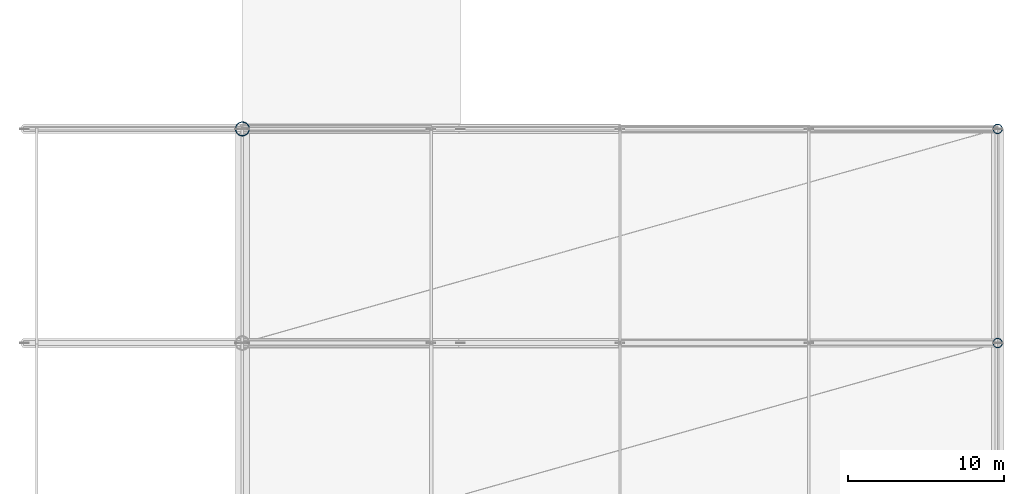
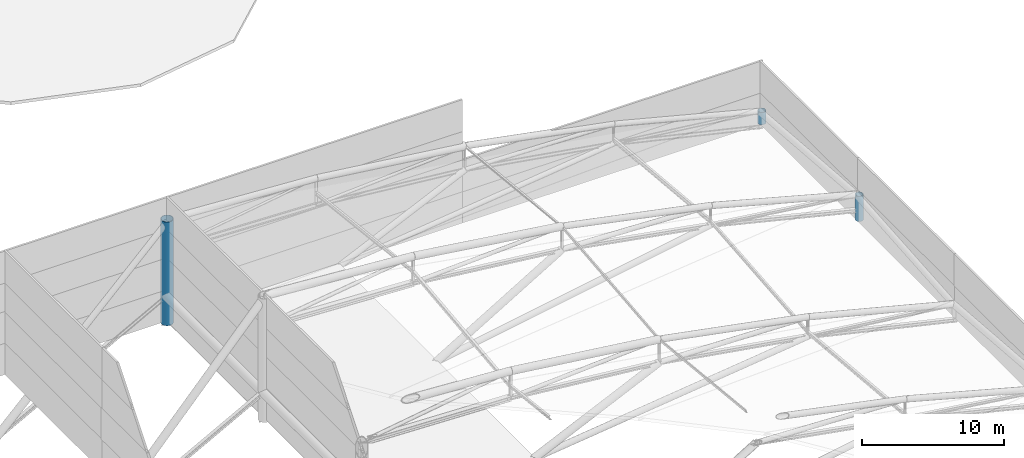
# One storey, part 2 of 36: 3 columns.
"""IFC4 building model written with IfcOpenShell, lengths in metres."""

from ifc_helpers import new_model, si_unit, direction, frame, origin, origin_2d, place, context, subcontext, project, spatial, hollow_circle, extrude, material, material_profile, profile_set, type_object, element, save


model = new_model("IFC4")

# Units and contexts
model_context = context("Model", 3, precision=1e-05, world=origin(), true_north=direction((0.0, 1.0)))
body_context = subcontext(model_context, "Body", "Model", "MODEL_VIEW")
ifc_project = project(units=[si_unit("LENGTHUNIT", "METRE"), si_unit("AREAUNIT", "SQUARE_METRE"), si_unit("VOLUMEUNIT", "CUBIC_METRE"), si_unit("PLANEANGLEUNIT", "RADIAN"), si_unit("MASSUNIT", "GRAM", prefix="KILO")], contexts=[model_context])

# Site, building, storey
site_placement = place(None, origin())
site = spatial("IfcSite", under=ifc_project, at=site_placement, CompositionType="ELEMENT")
building_placement = place(site_placement, origin())
building = spatial("IfcBuilding", under=site, at=building_placement, Name="Linyun Crest Stadium", CompositionType="ELEMENT")
storey_placement = place(building_placement, frame((0.0, 0.0, 31.60009765625)))
storey = spatial("IfcBuildingStorey", under=building, at=storey_placement, Name="RF", CompositionType="ELEMENT", Elevation=31.60009765625)

# Columns
ifc_material_1 = material(Name="Steel Q420C", Category="steel")
ifc_material_profile_1 = material_profile(ifc_material_1, hollow_circle(Radius=0.304931640625, WallThickness=0.030029296875, at=origin_2d()), Name="CHS 610x30")
ifc_profile_set_1 = profile_set([ifc_material_profile_1], Name="Steel Q420C")
column_type_1 = type_object("IfcColumnType", Name="MST01", PredefinedType="USERDEFINED", material=ifc_profile_set_1)
column_1_placement = place(storey_placement, frame((-35.5, 29.625, 0.0), z_axis=(0.0, 0.0, 1.0), x_axis=(1.0, 0.0, 0.0)))
element("IfcColumn", 1, at=column_1_placement, inside=storey, type_object=column_type_1, Name="Roof mast colonnade pier MST01 RF 14", ObjectType="ROOF MAST", PredefinedType="USERDEFINED", context=body_context, shape_type="SweptSolid", body=[
    extrude(hollow_circle(Radius=0.304931640625, WallThickness=0.030029296875, at=origin_2d()), origin(), (0.0, 0.0, 1.0), 2.15283203125),
])
column_2_placement = place(storey_placement, frame((-35.5, 43.375, 0.0), z_axis=(0.0, 0.0, 1.0), x_axis=(1.0, 0.0, 0.0)))
element("IfcColumn", 2, at=column_2_placement, inside=storey, type_object=column_type_1, Name="Roof mast colonnade pier MST01 RF 16", ObjectType="ROOF MAST", PredefinedType="USERDEFINED", context=body_context, shape_type="SweptSolid", body=[
    extrude(hollow_circle(Radius=0.304931640625, WallThickness=0.030029296875, at=origin_2d()), origin(), (0.0, 0.0, 1.0), 1.0478515625),
])
ifc_material_2 = material(Name="Steel Q420C", Category="steel")
ifc_material_profile_2 = material_profile(ifc_material_2, hollow_circle(Radius=0.45703125, WallThickness=0.0380859375, at=origin_2d()), Name="CHS 914x38")
ifc_profile_set_2 = profile_set([ifc_material_profile_2], Name="Steel Q420C")
column_type_2 = type_object("IfcColumnType", Name="MST03", PredefinedType="USERDEFINED", material=ifc_profile_set_2)
column_3_placement = place(storey_placement, frame((-84.0, 43.375, -0.235107421875), z_axis=(0.0, 0.0, 1.0), x_axis=(1.0, 0.0, 0.0)))
element("IfcColumn", 3, at=column_3_placement, inside=storey, type_object=column_type_2, Name="Roof mast MST03 V1 15", ObjectType="ROOF MAST", PredefinedType="USERDEFINED", context=body_context, shape_type="SweptSolid", body=[
    extrude(hollow_circle(Radius=0.45703125, WallThickness=0.0380859375, at=origin_2d()), origin(), (0.0, 0.0, 1.0), 8.93505859375),
])

save(model, "model.ifc")
